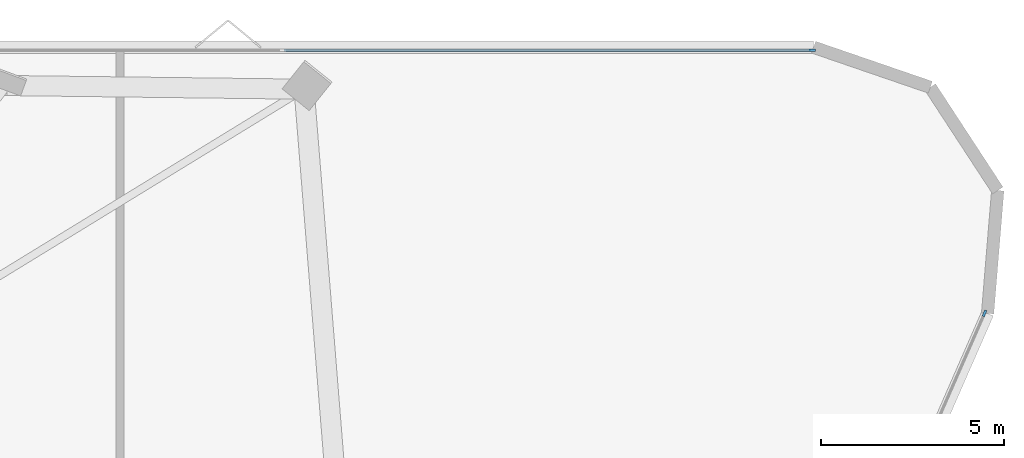
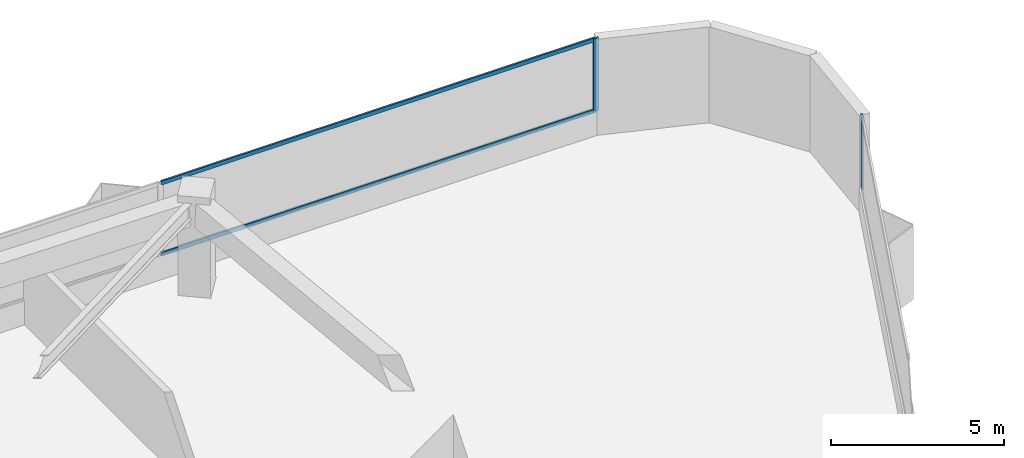
# One storey, part 13 of 21: 4 members, 2 elements without a shape of their own.
"""IFC4 building model written with IfcOpenShell, lengths in metres."""

from ifc_helpers import new_model, si_unit, direction, frame, origin, origin_2d, place, context, subcontext, project, spatial, rectangle, extrude, material, layer, layer_set, material_profile, profile_set, type_object, element, aggregate, save


model = new_model("IFC4")

# Units and contexts
model_context = context("Model", 3, precision=1e-05, world=origin(), true_north=direction((0.0, 1.0)))
body_context = subcontext(model_context, "Body", "Model", "MODEL_VIEW")
ifc_project = project(units=[si_unit("LENGTHUNIT", "METRE"), si_unit("AREAUNIT", "SQUARE_METRE"), si_unit("VOLUMEUNIT", "CUBIC_METRE"), si_unit("PLANEANGLEUNIT", "RADIAN"), si_unit("MASSUNIT", "GRAM", prefix="KILO")], contexts=[model_context])

# Site, building, storey
site_placement = place(None, origin())
site = spatial("IfcSite", under=ifc_project, at=site_placement, CompositionType="ELEMENT")
building_placement = place(site_placement, origin())
building = spatial("IfcBuilding", under=site, at=building_placement, Name="Talyreon Biosciences Tower", CompositionType="ELEMENT")
storey_placement = place(building_placement, frame((0.0, 0.0, 33.75)))
storey = spatial("IfcBuildingStorey", under=building, at=storey_placement, Name="L08", CompositionType="ELEMENT", Elevation=33.75)

# Curtain wall, member
ifc_material_1 = material(Name="Thermally broken aluminium and low-E glazing", Category="aluminium")
ifc_layer = layer(ifc_material_1, 0.195068359375)
ifc_layer_set = layer_set([ifc_layer], Name="Thermally broken aluminium and low-E glazing")
curtain_wall_type = type_object("IfcCurtainWallType", Name="CurtainWall_Zone1WetLab", PredefinedType="NOTDEFINED", material=ifc_layer_set)
curtain_wall_1_placement = place(storey_placement, origin())
curtain_wall_1 = element("IfcCurtainWall", 1, at=curtain_wall_1_placement, inside=storey, type_object=curtain_wall_type, Name="L08 Unitised Curtain Wall FCW-L08-04", PredefinedType="NOTDEFINED")
ifc_material_2 = material(Name="Anodised thermally broken aluminium", Category="aluminium")
ifc_material_profile_1 = material_profile(ifc_material_2, rectangle(XDim=0.06494140625, YDim=0.179931640625, at=origin_2d()), Name="ALUM MULLION 65x180")
ifc_profile_set_1 = profile_set([ifc_material_profile_1], Name="Anodised thermally broken aluminium")
member_type_1 = type_object("IfcMemberType", Name="CWMullion_65x180", PredefinedType="MULLION", material=ifc_profile_set_1)
member_1_placement = place(storey_placement, frame((95.013671875, 92.107421875, 0.81005859375), z_axis=(0.0, 0.0, 1.0), x_axis=(0.0, 1.0, 0.0)))
member_1 = element("IfcMember", 2, at=member_1_placement, type_object=member_type_1, Name="CW2 mullion 5", PredefinedType="MULLION", context=body_context, shape_type="SweptSolid", body=[
    extrude(rectangle(XDim=0.06494140625, YDim=0.179931640625, at=origin_2d()), origin(), (0.0, 0.0, 1.0), 2.56494140625),
])

curtain_wall_2_placement = place(storey_placement, origin())
curtain_wall_2 = element("IfcCurtainWall", 3, at=curtain_wall_2_placement, inside=storey, type_object=curtain_wall_type, Name="L08 Unitised Curtain Wall FCW-L08-08", PredefinedType="NOTDEFINED")
member_2_placement = place(storey_placement, frame((99.722900390625, 84.9033203125, 0.81005859375), z_axis=(0.0, 0.0, 1.0), x_axis=(0.915980408101, -0.401222995321, 0.0)))
member_2 = element("IfcMember", 4, at=member_2_placement, type_object=member_type_1, Name="CW2 mullion 1", PredefinedType="MULLION", context=body_context, shape_type="SweptSolid", body=[
    extrude(rectangle(XDim=0.06494140625, YDim=0.179931640625, at=origin_2d()), origin(), (0.0, 0.0, 1.0), 2.56494140625),
])
aggregate(curtain_wall_2, [member_2])

# Member
ifc_material_profile_2 = material_profile(ifc_material_2, rectangle(XDim=0.06494140625, YDim=0.139892578125, at=origin_2d()), Name="ALUM TRANSOM 65x140")
ifc_profile_set_2 = profile_set([ifc_material_profile_2], Name="Anodised thermally broken aluminium")
member_type_2 = type_object("IfcMemberType", Name="CWTransom_65x140", PredefinedType="USERDEFINED", material=ifc_profile_set_2)
member_3_placement = place(storey_placement, frame((80.5556640625, 92.107421875, 0.842529296875), z_axis=(1.0, 0.0, 0.0), x_axis=(0.0, 1.0, 0.0)))
member_3 = element("IfcMember", 5, at=member_3_placement, type_object=member_type_2, Name="CW2 transom 4.1", ObjectType="TRANSOM", PredefinedType="USERDEFINED", context=body_context, shape_type="SweptSolid", body=[
    extrude(rectangle(XDim=0.06494140625, YDim=0.139892578125, at=origin_2d()), origin(), (0.0, 0.0, 1.0), 14.425537109375),
])

member_4_placement = place(storey_placement, frame((80.5556640625, 92.107421875, 3.342529296875), z_axis=(1.0, 0.0, 0.0), x_axis=(0.0, 1.0, 0.0)))
member_4 = element("IfcMember", 6, at=member_4_placement, type_object=member_type_2, Name="CW2 transom 4.2", ObjectType="TRANSOM", PredefinedType="USERDEFINED", context=body_context, shape_type="SweptSolid", body=[
    extrude(rectangle(XDim=0.06494140625, YDim=0.139892578125, at=origin_2d()), origin(), (0.0, 0.0, 1.0), 14.425537109375),
])

aggregate(curtain_wall_1, [member_1, member_3, member_4])

save(model, "model.ifc")
